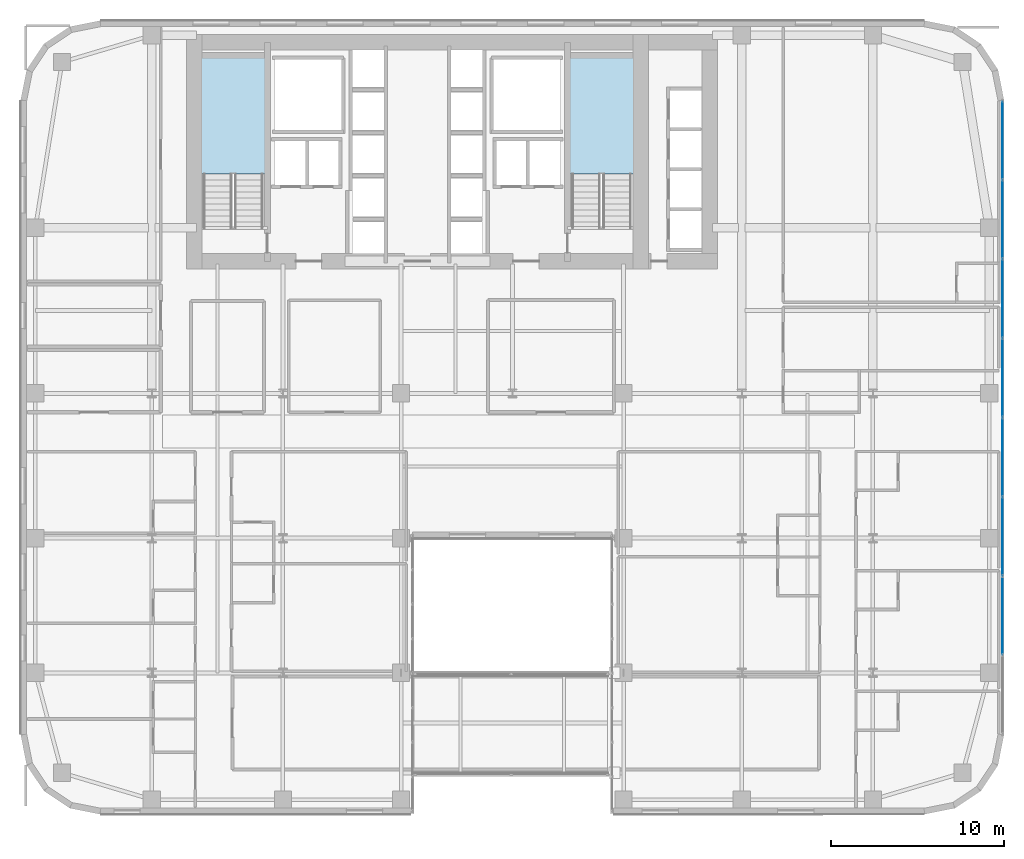
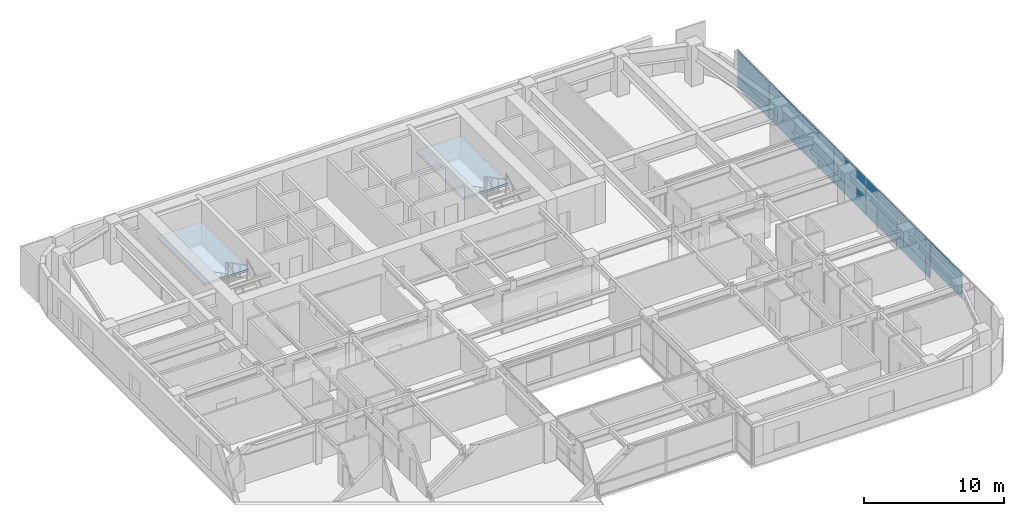
# One storey, part 19 of 31: 13 plates, 2 slabs, 3 elements without a shape of their own.
"""IFC4 building model written with IfcOpenShell, lengths in metres."""

from ifc_helpers import new_model, si_unit, direction, frame, origin, origin_2d, place, context, subcontext, project, spatial, polyline, rectangle, outline, extrude, source, transform, mapped, material, layer, layer_set, type_object, type_shapes, element, aggregate, save


model = new_model("IFC4")

# Units and contexts
model_context = context("Model", 3, precision=1e-05, world=origin(), true_north=direction((0.0, 1.0)))
body_context = subcontext(model_context, "Body", "Model", "MODEL_VIEW")
ifc_project = project(units=[si_unit("LENGTHUNIT", "METRE"), si_unit("AREAUNIT", "SQUARE_METRE"), si_unit("VOLUMEUNIT", "CUBIC_METRE"), si_unit("PLANEANGLEUNIT", "RADIAN"), si_unit("MASSUNIT", "GRAM", prefix="KILO")], contexts=[model_context])

# Site, building, storey
site_placement = place(None, origin())
site = spatial("IfcSite", under=ifc_project, at=site_placement, CompositionType="ELEMENT")
building_placement = place(site_placement, origin())
building = spatial("IfcBuilding", under=site, at=building_placement, Name="Tolvann Quenvar Hotel", CompositionType="ELEMENT")
storey_placement = place(building_placement, frame((0.0, 0.0, 74.60009765625)))
storey = spatial("IfcBuildingStorey", under=building, at=storey_placement, Name="L18", CompositionType="ELEMENT", Elevation=74.60009765625)

# Stair, slab
ifc_material_1 = material(Name="Concrete N40 (40 MPa)", Category="concrete")
stair_type = type_object("IfcStairType", Name="STAIR", PredefinedType="HALF_TURN_STAIR", material=ifc_material_1)
stair_1_placement = place(storey_placement, origin())
stair_1 = element("IfcStair", 1, at=stair_1_placement, inside=storey, type_object=stair_type, Name="L18 ST-C1", PredefinedType="HALF_TURN_STAIR")
ifc_layer_1 = layer(ifc_material_1, 0.199951171875)
ifc_layer_set_1 = layer_set([ifc_layer_1], Name="Concrete N40 (40 MPa)")
slab_type = type_object("IfcSlabType", Name="SLAB_LANDING", PredefinedType="LANDING", material=ifc_layer_set_1)
slab_1_placement = place(storey_placement, frame((0.0, 0.0, 1.574951171875)))
slab_1 = element("IfcSlab", 2, at=slab_1_placement, type_object=slab_type, Name="ST-C1 landing 1", PredefinedType="LANDING", context=body_context, shape_type="SweptSolid", body=[
    extrude(outline(polyline([(14.179931640625, 37.10498046875), (14.179931640625, 43.8798828125), (10.469970703125, 43.8798828125), (10.469970703125, 37.10498046875), (14.179931640625, 37.10498046875)])), origin(), (0.0, 0.0, 1.0), 0.199951171875),
])
aggregate(stair_1, [slab_1])

stair_2_placement = place(storey_placement, origin())
stair_2 = element("IfcStair", 3, at=stair_2_placement, inside=storey, type_object=stair_type, Name="L18 ST-C2", PredefinedType="HALF_TURN_STAIR")
slab_2_placement = place(storey_placement, frame((0.0, 0.0, 1.574951171875)))
slab_2 = element("IfcSlab", 4, at=slab_2_placement, type_object=slab_type, Name="ST-C2 landing 1", PredefinedType="LANDING", context=body_context, shape_type="SweptSolid", body=[
    extrude(outline(polyline([(35.530029296875, 37.10498046875), (35.530029296875, 43.8798828125), (31.820068359375, 43.8798828125), (31.820068359375, 37.10498046875), (35.530029296875, 37.10498046875)])), origin(), (0.0, 0.0, 1.0), 0.199951171875),
])
aggregate(stair_2, [slab_2])

# Curtain wall, plates
ifc_material_2 = material(Name="Thermally broken anodised architectural aluminium 6063-T6 and laminated low-E glass", Category="aluminium")
ifc_layer_2 = layer(ifc_material_2, 0.179931640625)
ifc_layer_set_2 = layer_set([ifc_layer_2], Name="Thermally broken anodised architectural aluminium 6063-T6 and laminated low-E glass")
curtain_wall_type = type_object("IfcCurtainWallType", Name="CW_SYS_BAND_04", PredefinedType="USERDEFINED", material=ifc_layer_set_2)
curtain_wall_placement = place(storey_placement, origin())
curtain_wall = element("IfcCurtainWall", 5, at=curtain_wall_placement, inside=storey, type_object=curtain_wall_type, Name="Curtain Wall CW-BAND-04 (CWR-L18-E13)", ObjectType="UNITISED CURTAIN WALL", PredefinedType="USERDEFINED")
ifc_material_3 = material(Name="Low-iron laminated double glazing with solar-control coating", Category="glass")
ifc_layer_3 = layer(ifc_material_3, 0.028076171875)
ifc_layer_set_3 = layer_set([ifc_layer_3], Name="Low-iron laminated double glazing with solar-control coating")
plate_type = type_object("IfcPlateType", Name="CW_PAN_VISION_28", PredefinedType="CURTAIN_PANEL", material=ifc_layer_set_3)
shared_shape_1 = source(origin(), body_context, "Body", "SweptSolid", [
    extrude(rectangle(XDim=4.49072265625, YDim=0.028076171875, at=origin_2d()), origin(), (0.0, 0.0, 1.0), 0.9599609375),
])
plate_1_placement = place(storey_placement, frame((56.909912109375, 39.0673828125, 0.059814453125), z_axis=(0.0, 0.0, 1.0), x_axis=(0.0, 1.0, 0.0)))
plate_1 = element("IfcPlate", 6, at=plate_1_placement, type_object=plate_type, Name="CW-BAND-04 panel 8.1", PredefinedType="CURTAIN_PANEL", context=body_context, shape_type="MappedRepresentation", body=[
    mapped(shared_shape_1, transform((0.0, 0.0, 0.0), x_axis=(1.0, 0.0, 0.0), y_axis=(0.0, 1.0, 0.0), z_axis=(0.0, 0.0, 1.0), scale=1.0)),
])
shared_shape_2 = source(origin(), body_context, "Body", "SweptSolid", [
    extrude(rectangle(XDim=4.49072265625, YDim=0.028076171875, at=origin_2d()), origin(), (0.0, 0.0, 1.0), 2.22998046875),
])
plate_2_placement = place(storey_placement, frame((56.909912109375, 39.0673828125, 1.079833984375), z_axis=(0.0, 0.0, 1.0), x_axis=(0.0, 1.0, 0.0)))
plate_2 = element("IfcPlate", 7, at=plate_2_placement, type_object=plate_type, Name="CW-BAND-04 panel 8.2", PredefinedType="CURTAIN_PANEL", context=body_context, shape_type="MappedRepresentation", body=[
    mapped(shared_shape_2, transform((0.0, 0.0, 0.0), x_axis=(1.0, 0.0, 0.0), y_axis=(0.0, 1.0, 0.0), z_axis=(0.0, 0.0, 1.0), scale=1.0)),
])
shared_shape_3 = source(origin(), body_context, "Body", "SweptSolid", [
    extrude(rectangle(XDim=4.525634765625, YDim=0.028076171875, at=origin_2d()), origin(), (0.0, 0.0, 1.0), 0.9599609375),
])
plate_3_placement = place(storey_placement, frame((56.909912109375, 16.1064453125, 0.059814453125), z_axis=(0.0, 0.0, 1.0), x_axis=(0.0, 1.0, 0.0)))
plate_3 = element("IfcPlate", 8, at=plate_3_placement, type_object=plate_type, Name="CW-BAND-04 panel 3.1", PredefinedType="CURTAIN_PANEL", context=body_context, shape_type="MappedRepresentation", body=[
    mapped(shared_shape_3, transform((0.0, 0.0, 0.0), x_axis=(1.0, 0.0, 0.0), y_axis=(0.0, 1.0, 0.0), z_axis=(0.0, 0.0, 1.0), scale=1.0)),
])
plate_4_placement = place(storey_placement, frame((56.909912109375, 20.7021484375, 0.059814453125), z_axis=(0.0, 0.0, 1.0), x_axis=(0.0, 1.0, 0.0)))
plate_4 = element("IfcPlate", 9, at=plate_4_placement, type_object=plate_type, Name="CW-BAND-04 panel 4.1", PredefinedType="CURTAIN_PANEL", context=body_context, shape_type="MappedRepresentation", body=[
    mapped(shared_shape_3, transform((0.0, 0.0, 0.0), x_axis=(1.0, 0.0, 0.0), y_axis=(0.0, 1.0, 0.0), z_axis=(0.0, 0.0, 1.0), scale=1.0)),
])
plate_5_placement = place(storey_placement, frame((56.909912109375, 25.2978515625, 0.059814453125), z_axis=(0.0, 0.0, 1.0), x_axis=(0.0, 1.0, 0.0)))
plate_5 = element("IfcPlate", 10, at=plate_5_placement, type_object=plate_type, Name="CW-BAND-04 panel 5.1", PredefinedType="CURTAIN_PANEL", context=body_context, shape_type="MappedRepresentation", body=[
    mapped(shared_shape_3, transform((0.0, 0.0, 0.0), x_axis=(1.0, 0.0, 0.0), y_axis=(0.0, 1.0, 0.0), z_axis=(0.0, 0.0, 1.0), scale=1.0)),
])
plate_6_placement = place(storey_placement, frame((56.909912109375, 29.8935546875, 0.059814453125), z_axis=(0.0, 0.0, 1.0), x_axis=(0.0, 1.0, 0.0)))
plate_6 = element("IfcPlate", 11, at=plate_6_placement, type_object=plate_type, Name="CW-BAND-04 panel 6.1", PredefinedType="CURTAIN_PANEL", context=body_context, shape_type="MappedRepresentation", body=[
    mapped(shared_shape_3, transform((0.0, 0.0, 0.0), x_axis=(1.0, 0.0, 0.0), y_axis=(0.0, 1.0, 0.0), z_axis=(0.0, 0.0, 1.0), scale=1.0)),
])
plate_7_placement = place(storey_placement, frame((56.909912109375, 34.4892578125, 0.059814453125), z_axis=(0.0, 0.0, 1.0), x_axis=(0.0, 1.0, 0.0)))
plate_7 = element("IfcPlate", 12, at=plate_7_placement, type_object=plate_type, Name="CW-BAND-04 panel 7.1", PredefinedType="CURTAIN_PANEL", context=body_context, shape_type="MappedRepresentation", body=[
    mapped(shared_shape_3, transform((0.0, 0.0, 0.0), x_axis=(1.0, 0.0, 0.0), y_axis=(0.0, 1.0, 0.0), z_axis=(0.0, 0.0, 1.0), scale=1.0)),
])
shared_shape_4 = source(origin(), body_context, "Body", "SweptSolid", [
    extrude(rectangle(XDim=4.525634765625, YDim=0.028076171875, at=origin_2d()), origin(), (0.0, 0.0, 1.0), 2.22998046875),
])
type_shapes(plate_type, [shared_shape_1, shared_shape_2, shared_shape_3, shared_shape_4])
plate_8_placement = place(storey_placement, frame((56.909912109375, 11.5107421875, 1.079833984375), z_axis=(0.0, 0.0, 1.0), x_axis=(0.0, 1.0, 0.0)))
plate_8 = element("IfcPlate", 13, at=plate_8_placement, type_object=plate_type, Name="CW-BAND-04 panel 2.2", PredefinedType="CURTAIN_PANEL", context=body_context, shape_type="MappedRepresentation", body=[
    mapped(shared_shape_4, transform((0.0, 0.0, 0.0), x_axis=(1.0, 0.0, 0.0), y_axis=(0.0, 1.0, 0.0), z_axis=(0.0, 0.0, 1.0), scale=1.0)),
])
plate_9_placement = place(storey_placement, frame((56.909912109375, 16.1064453125, 1.079833984375), z_axis=(0.0, 0.0, 1.0), x_axis=(0.0, 1.0, 0.0)))
plate_9 = element("IfcPlate", 14, at=plate_9_placement, type_object=plate_type, Name="CW-BAND-04 panel 3.2", PredefinedType="CURTAIN_PANEL", context=body_context, shape_type="MappedRepresentation", body=[
    mapped(shared_shape_4, transform((0.0, 0.0, 0.0), x_axis=(1.0, 0.0, 0.0), y_axis=(0.0, 1.0, 0.0), z_axis=(0.0, 0.0, 1.0), scale=1.0)),
])
plate_10_placement = place(storey_placement, frame((56.909912109375, 20.7021484375, 1.079833984375), z_axis=(0.0, 0.0, 1.0), x_axis=(0.0, 1.0, 0.0)))
plate_10 = element("IfcPlate", 15, at=plate_10_placement, type_object=plate_type, Name="CW-BAND-04 panel 4.2", PredefinedType="CURTAIN_PANEL", context=body_context, shape_type="MappedRepresentation", body=[
    mapped(shared_shape_4, transform((0.0, 0.0, 0.0), x_axis=(1.0, 0.0, 0.0), y_axis=(0.0, 1.0, 0.0), z_axis=(0.0, 0.0, 1.0), scale=1.0)),
])
plate_11_placement = place(storey_placement, frame((56.909912109375, 25.2978515625, 1.079833984375), z_axis=(0.0, 0.0, 1.0), x_axis=(0.0, 1.0, 0.0)))
plate_11 = element("IfcPlate", 16, at=plate_11_placement, type_object=plate_type, Name="CW-BAND-04 panel 5.2", PredefinedType="CURTAIN_PANEL", context=body_context, shape_type="MappedRepresentation", body=[
    mapped(shared_shape_4, transform((0.0, 0.0, 0.0), x_axis=(1.0, 0.0, 0.0), y_axis=(0.0, 1.0, 0.0), z_axis=(0.0, 0.0, 1.0), scale=1.0)),
])
plate_12_placement = place(storey_placement, frame((56.909912109375, 29.8935546875, 1.079833984375), z_axis=(0.0, 0.0, 1.0), x_axis=(0.0, 1.0, 0.0)))
plate_12 = element("IfcPlate", 17, at=plate_12_placement, type_object=plate_type, Name="CW-BAND-04 panel 6.2", PredefinedType="CURTAIN_PANEL", context=body_context, shape_type="MappedRepresentation", body=[
    mapped(shared_shape_4, transform((0.0, 0.0, 0.0), x_axis=(1.0, 0.0, 0.0), y_axis=(0.0, 1.0, 0.0), z_axis=(0.0, 0.0, 1.0), scale=1.0)),
])
plate_13_placement = place(storey_placement, frame((56.909912109375, 34.4892578125, 1.079833984375), z_axis=(0.0, 0.0, 1.0), x_axis=(0.0, 1.0, 0.0)))
plate_13 = element("IfcPlate", 18, at=plate_13_placement, type_object=plate_type, Name="CW-BAND-04 panel 7.2", PredefinedType="CURTAIN_PANEL", context=body_context, shape_type="MappedRepresentation", body=[
    mapped(shared_shape_4, transform((0.0, 0.0, 0.0), x_axis=(1.0, 0.0, 0.0), y_axis=(0.0, 1.0, 0.0), z_axis=(0.0, 0.0, 1.0), scale=1.0)),
])
aggregate(curtain_wall, [plate_8, plate_3, plate_9, plate_4, plate_10, plate_5, plate_11, plate_6, plate_12, plate_7, plate_13, plate_1, plate_2])

save(model, "model.ifc")
